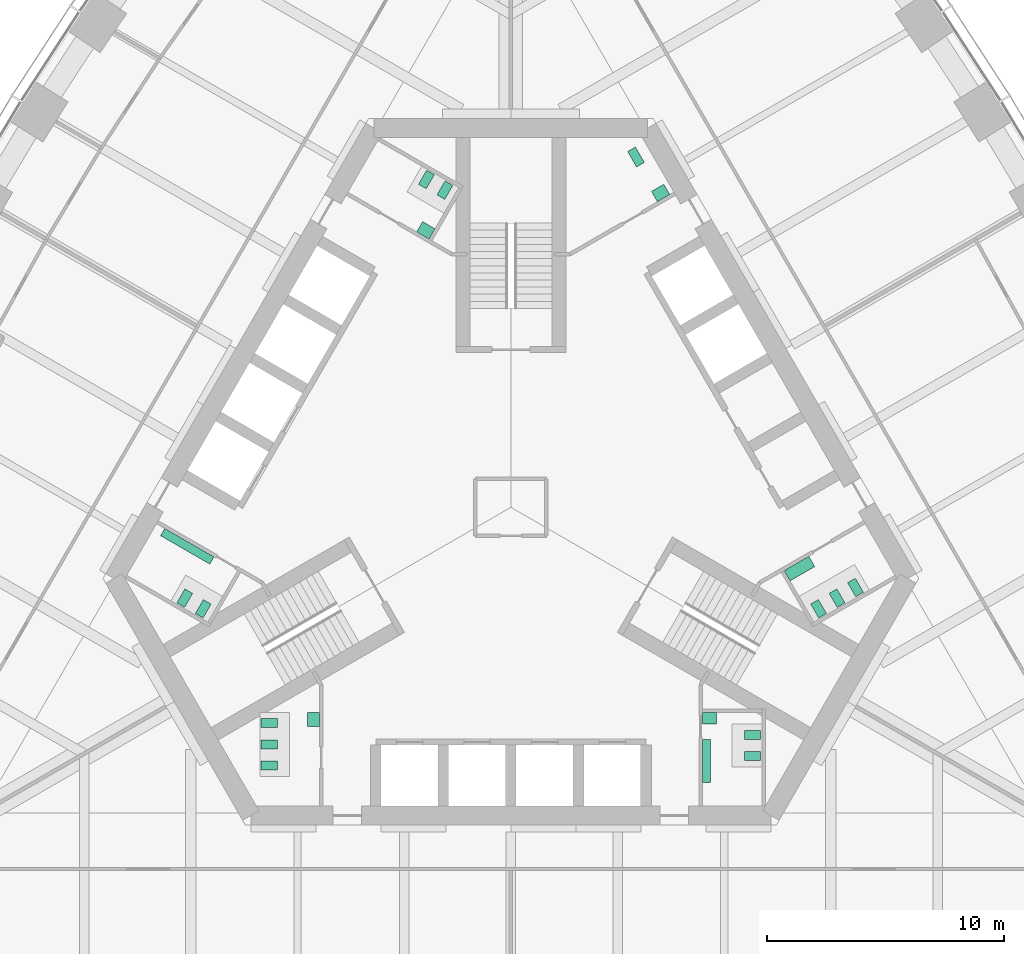
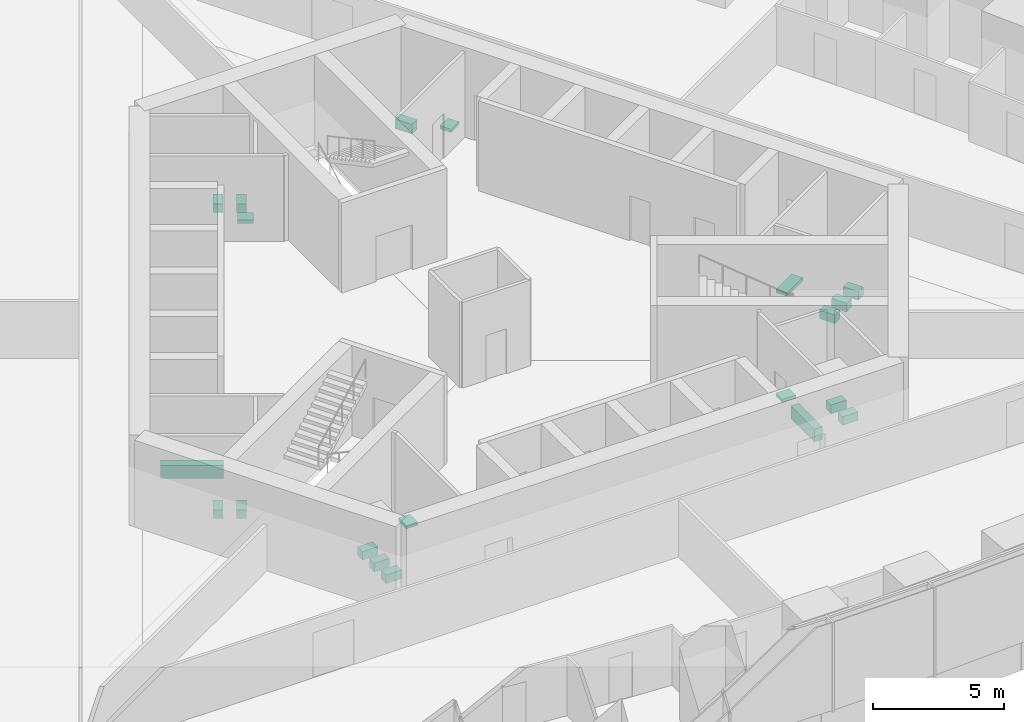
# One storey, part 17 of 18: 20 sanitary terminals.
"""IFC4 building model written with IfcOpenShell, lengths in metres."""

from ifc_helpers import new_model, si_unit, direction, frame, origin, place, context, subcontext, project, spatial, polyline, outline, extrude, material, type_object, element, save


model = new_model("IFC4")

# Units and contexts
model_context = context("Model", 3, precision=1e-05, world=origin(), true_north=direction((0.0, 1.0)))
body_context = subcontext(model_context, "Body", "Model", "MODEL_VIEW")
ifc_project = project(units=[si_unit("LENGTHUNIT", "METRE"), si_unit("AREAUNIT", "SQUARE_METRE"), si_unit("VOLUMEUNIT", "CUBIC_METRE"), si_unit("PLANEANGLEUNIT", "RADIAN"), si_unit("MASSUNIT", "GRAM", prefix="KILO")], contexts=[model_context])

# Site, building, storey
site_placement = place(None, origin())
site = spatial("IfcSite", under=ifc_project, at=site_placement, CompositionType="ELEMENT")
building_placement = place(site_placement, origin())
building = spatial("IfcBuilding", under=site, at=building_placement, Name="Trefoil Bronze Tower", CompositionType="ELEMENT")
storey_placement = place(building_placement, frame((0.0, 0.0, 161.89990234375)))
storey = spatial("IfcBuildingStorey", under=building, at=storey_placement, Name="L37", CompositionType="ELEMENT", Elevation=161.89990234375)

# Sanitary terminals
ifc_material_1 = material(Name="Vitreous china", Category="ceramic")
sanitary_terminal_type_1 = type_object("IfcSanitaryTerminalType", Name="Accessible WC pan", PredefinedType="TOILETPAN", material=ifc_material_1)
sanitary_terminal_1_placement = place(storey_placement, origin())
element("IfcSanitaryTerminal", 1, at=sanitary_terminal_1_placement, inside=storey, type_object=sanitary_terminal_type_1, Name="WC pan 1 Accessible WC L37", PredefinedType="TOILETPAN", context=body_context, shape_type="SweptSolid", body=[
    extrude(outline(polyline([(5.300537109375, 14.359130859375), (4.925537109375, 15.008544921875), (5.254638671875, 15.198486328125), (5.629638671875, 14.549072265625), (5.300537109375, 14.359130859375)])), origin(), (0.0, 0.0, 1.0), 0.4501953125),
])
ifc_material_2 = material(Name="Vitreous china", Category="ceramic")
sanitary_terminal_type_2 = type_object("IfcSanitaryTerminalType", Name="Accessible basin", PredefinedType="WASHHANDBASIN", material=ifc_material_2)
sanitary_terminal_2_placement = place(storey_placement, frame((0.0, 0.0, 0.650146484375)))
element("IfcSanitaryTerminal", 2, at=sanitary_terminal_2_placement, inside=storey, type_object=sanitary_terminal_type_2, Name="Wash basin Accessible WC L37", PredefinedType="WASHHANDBASIN", context=body_context, shape_type="SweptSolid", body=[
    extrude(outline(polyline([(6.181640625, 12.89306640625), (5.931640625, 13.326171875), (6.451171875, 13.626220703125), (6.701171875, 13.193115234375), (6.181640625, 12.89306640625)])), origin(), (0.0, 0.0, 1.0), 0.14990234375),
])
ifc_material_3 = material(Name="Vitreous china", Category="ceramic")
sanitary_terminal_type_3 = type_object("IfcSanitaryTerminalType", Name="Urinal range 3 urinals", PredefinedType="URINAL", material=ifc_material_3)
sanitary_terminal_3_placement = place(storey_placement, frame((0.0, 0.0, 0.400146484375)))
element("IfcSanitaryTerminal", 3, at=sanitary_terminal_3_placement, inside=storey, type_object=sanitary_terminal_type_3, Name="Urinal range WC (men) L37", PredefinedType="URINAL", context=body_context, shape_type="SweptSolid", body=[
    extrude(outline(polyline([(8.074951171875, -9.800048828125), (8.425048828125, -9.800048828125), (8.425048828125, -11.60009765625), (8.074951171875, -11.60009765625), (8.074951171875, -9.800048828125)])), origin(), (0.0, 0.0, 1.0), 0.599853515625),
])
ifc_material_4 = material(Name="Vitreous china", Category="ceramic")
sanitary_terminal_type_4 = type_object("IfcSanitaryTerminalType", Name="Urinal range 4 urinals", PredefinedType="URINAL", material=ifc_material_4)
sanitary_terminal_4_placement = place(storey_placement, frame((0.0, 0.0, 0.400146484375)))
element("IfcSanitaryTerminal", 4, at=sanitary_terminal_4_placement, inside=storey, type_object=sanitary_terminal_type_4, Name="Urinal range WC (men) L37", PredefinedType="URINAL", context=body_context, shape_type="SweptSolid", body=[
    extrude(outline(polyline([(-12.524658203125, -2.09326171875), (-12.699462890625, -2.396240234375), (-14.778076171875, -1.1962890625), (-14.60302734375, -0.89306640625), (-12.524658203125, -2.09326171875)])), origin(), (0.0, 0.0, 1.0), 0.599853515625),
])
ifc_material_5 = material(Name="Solid surface vanity", Category="plastic")
sanitary_terminal_type_5 = type_object("IfcSanitaryTerminalType", Name="Vanity unit 1 basins", PredefinedType="WASHHANDBASIN", material=ifc_material_5)
sanitary_terminal_5_placement = place(storey_placement, frame((0.0, 0.0, 0.75)))
element("IfcSanitaryTerminal", 5, at=sanitary_terminal_5_placement, inside=storey, type_object=sanitary_terminal_type_5, Name="Vanity unit WC (men) L37", PredefinedType="WASHHANDBASIN", context=body_context, shape_type="SweptSolid", body=[
    extrude(outline(polyline([(8.074951171875, -8.64990234375), (8.675048828125, -8.64990234375), (8.675048828125, -9.14990234375), (8.074951171875, -9.14990234375), (8.074951171875, -8.64990234375)])), origin(), (0.0, 0.0, 1.0), 0.150146484375),
])
sanitary_terminal_6_placement = place(storey_placement, frame((0.0, 0.0, 0.75)))
element("IfcSanitaryTerminal", 6, at=sanitary_terminal_6_placement, inside=storey, type_object=sanitary_terminal_type_5, Name="Vanity unit WC (women) L37", PredefinedType="WASHHANDBASIN", context=body_context, shape_type="SweptSolid", body=[
    extrude(outline(polyline([(-3.45361328125, 11.318115234375), (-3.20361328125, 11.751220703125), (-3.72314453125, 12.05126953125), (-3.97314453125, 11.6181640625), (-3.45361328125, 11.318115234375)])), origin(), (0.0, 0.0, 1.0), 0.150146484375),
])
sanitary_terminal_7_placement = place(storey_placement, frame((0.0, 0.0, 0.75)))
element("IfcSanitaryTerminal", 7, at=sanitary_terminal_7_placement, inside=storey, type_object=sanitary_terminal_type_5, Name="Vanity unit WC (women) L37", PredefinedType="WASHHANDBASIN", context=body_context, shape_type="SweptSolid", body=[
    extrude(outline(polyline([(-8.074951171875, -8.64990234375), (-8.574951171875, -8.64990234375), (-8.574951171875, -9.25), (-8.074951171875, -9.25), (-8.074951171875, -8.64990234375)])), origin(), (0.0, 0.0, 1.0), 0.150146484375),
])
ifc_material_6 = material(Name="Solid surface vanity", Category="plastic")
sanitary_terminal_type_6 = type_object("IfcSanitaryTerminalType", Name="Vanity unit 2 basins", PredefinedType="WASHHANDBASIN", material=ifc_material_6)
sanitary_terminal_8_placement = place(storey_placement, frame((0.0, 0.0, 0.75)))
element("IfcSanitaryTerminal", 8, at=sanitary_terminal_8_placement, inside=storey, type_object=sanitary_terminal_type_6, Name="Vanity unit WC (women) L37", PredefinedType="WASHHANDBASIN", context=body_context, shape_type="SweptSolid", body=[
    extrude(outline(polyline([(11.528564453125, -2.668212890625), (11.778564453125, -3.10107421875), (12.81787109375, -2.501220703125), (12.56787109375, -2.068115234375), (11.528564453125, -2.668212890625)])), origin(), (0.0, 0.0, 1.0), 0.150146484375),
])
ifc_material_7 = material(Name="Vitreous china", Category="ceramic")
sanitary_terminal_type_7 = type_object("IfcSanitaryTerminalType", Name="WC pan", PredefinedType="TOILETPAN", material=ifc_material_7)
sanitary_terminal_9_placement = place(storey_placement, origin())
element("IfcSanitaryTerminal", 9, at=sanitary_terminal_9_placement, inside=storey, type_object=sanitary_terminal_type_7, Name="WC pan 1 WC (men) L37", PredefinedType="TOILETPAN", context=body_context, shape_type="SweptSolid", body=[
    extrude(outline(polyline([(9.85498046875, -9.409912109375), (10.534912109375, -9.409912109375), (10.534912109375, -9.7900390625), (9.85498046875, -9.7900390625), (9.85498046875, -9.409912109375)])), origin(), (0.0, 0.0, 1.0), 0.400146484375),
])
sanitary_terminal_10_placement = place(storey_placement, origin())
element("IfcSanitaryTerminal", 10, at=sanitary_terminal_10_placement, inside=storey, type_object=sanitary_terminal_type_7, Name="WC pan 2 WC (men) L37", PredefinedType="TOILETPAN", context=body_context, shape_type="SweptSolid", body=[
    extrude(outline(polyline([(9.85498046875, -10.31005859375), (10.534912109375, -10.31005859375), (10.534912109375, -10.68994140625), (9.85498046875, -10.68994140625), (9.85498046875, -10.31005859375)])), origin(), (0.0, 0.0, 1.0), 0.400146484375),
])
sanitary_terminal_11_placement = place(storey_placement, origin())
element("IfcSanitaryTerminal", 11, at=sanitary_terminal_11_placement, inside=storey, type_object=sanitary_terminal_type_7, Name="WC pan 1 WC (women) L37", PredefinedType="TOILETPAN", context=body_context, shape_type="SweptSolid", body=[
    extrude(outline(polyline([(12.643798828125, -4.07958984375), (12.98388671875, -4.66845703125), (13.31298828125, -4.478515625), (12.972900390625, -3.8896484375), (12.643798828125, -4.07958984375)])), origin(), (0.0, 0.0, 1.0), 0.400146484375),
])
sanitary_terminal_12_placement = place(storey_placement, origin())
element("IfcSanitaryTerminal", 12, at=sanitary_terminal_12_placement, inside=storey, type_object=sanitary_terminal_type_7, Name="WC pan 2 WC (women) L37", PredefinedType="TOILETPAN", context=body_context, shape_type="SweptSolid", body=[
    extrude(outline(polyline([(13.423095703125, -3.629638671875), (13.76318359375, -4.218505859375), (14.09228515625, -4.028564453125), (13.752197265625, -3.439697265625), (13.423095703125, -3.629638671875)])), origin(), (0.0, 0.0, 1.0), 0.400146484375),
])
sanitary_terminal_13_placement = place(storey_placement, origin())
element("IfcSanitaryTerminal", 13, at=sanitary_terminal_13_placement, inside=storey, type_object=sanitary_terminal_type_7, Name="WC pan 3 WC (women) L37", PredefinedType="TOILETPAN", context=body_context, shape_type="SweptSolid", body=[
    extrude(outline(polyline([(14.20263671875, -3.1796875), (14.542724609375, -3.7685546875), (14.871826171875, -3.57861328125), (14.53173828125, -2.98974609375), (14.20263671875, -3.1796875)])), origin(), (0.0, 0.0, 1.0), 0.400146484375),
])
sanitary_terminal_14_placement = place(storey_placement, origin())
element("IfcSanitaryTerminal", 14, at=sanitary_terminal_14_placement, inside=storey, type_object=sanitary_terminal_type_7, Name="WC pan 1 WC (women) L37", PredefinedType="TOILETPAN", context=body_context, shape_type="SweptSolid", body=[
    extrude(outline(polyline([(-2.788818359375, 12.98974609375), (-2.44873046875, 13.57861328125), (-2.77783203125, 13.7685546875), (-3.117919921875, 13.1796875), (-2.788818359375, 12.98974609375)])), origin(), (0.0, 0.0, 1.0), 0.400146484375),
])
sanitary_terminal_15_placement = place(storey_placement, origin())
element("IfcSanitaryTerminal", 15, at=sanitary_terminal_15_placement, inside=storey, type_object=sanitary_terminal_type_7, Name="WC pan 2 WC (women) L37", PredefinedType="TOILETPAN", context=body_context, shape_type="SweptSolid", body=[
    extrude(outline(polyline([(-3.568115234375, 13.439697265625), (-3.228271484375, 14.028564453125), (-3.557373046875, 14.218505859375), (-3.897216796875, 13.629638671875), (-3.568115234375, 13.439697265625)])), origin(), (0.0, 0.0, 1.0), 0.400146484375),
])
sanitary_terminal_16_placement = place(storey_placement, origin())
element("IfcSanitaryTerminal", 16, at=sanitary_terminal_16_placement, inside=storey, type_object=sanitary_terminal_type_7, Name="WC pan 1 WC (men) L37", PredefinedType="TOILETPAN", context=body_context, shape_type="SweptSolid", body=[
    extrude(outline(polyline([(-12.643798828125, -4.07958984375), (-12.98388671875, -4.66845703125), (-13.31298828125, -4.478515625), (-12.972900390625, -3.8896484375), (-12.643798828125, -4.07958984375)])), origin(), (0.0, 0.0, 1.0), 0.400146484375),
])
sanitary_terminal_17_placement = place(storey_placement, origin())
element("IfcSanitaryTerminal", 17, at=sanitary_terminal_17_placement, inside=storey, type_object=sanitary_terminal_type_7, Name="WC pan 2 WC (men) L37", PredefinedType="TOILETPAN", context=body_context, shape_type="SweptSolid", body=[
    extrude(outline(polyline([(-13.423095703125, -3.629638671875), (-13.76318359375, -4.218505859375), (-14.09228515625, -4.028564453125), (-13.752197265625, -3.439697265625), (-13.423095703125, -3.629638671875)])), origin(), (0.0, 0.0, 1.0), 0.400146484375),
])
sanitary_terminal_18_placement = place(storey_placement, origin())
element("IfcSanitaryTerminal", 18, at=sanitary_terminal_18_placement, inside=storey, type_object=sanitary_terminal_type_7, Name="WC pan 1 WC (women) L37", PredefinedType="TOILETPAN", context=body_context, shape_type="SweptSolid", body=[
    extrude(outline(polyline([(-9.85498046875, -8.909912109375), (-10.534912109375, -8.909912109375), (-10.534912109375, -9.2900390625), (-9.85498046875, -9.2900390625), (-9.85498046875, -8.909912109375)])), origin(), (0.0, 0.0, 1.0), 0.400146484375),
])
sanitary_terminal_19_placement = place(storey_placement, origin())
element("IfcSanitaryTerminal", 19, at=sanitary_terminal_19_placement, inside=storey, type_object=sanitary_terminal_type_7, Name="WC pan 2 WC (women) L37", PredefinedType="TOILETPAN", context=body_context, shape_type="SweptSolid", body=[
    extrude(outline(polyline([(-9.85498046875, -9.81005859375), (-10.534912109375, -9.81005859375), (-10.534912109375, -10.18994140625), (-9.85498046875, -10.18994140625), (-9.85498046875, -9.81005859375)])), origin(), (0.0, 0.0, 1.0), 0.400146484375),
])
sanitary_terminal_20_placement = place(storey_placement, origin())
element("IfcSanitaryTerminal", 20, at=sanitary_terminal_20_placement, inside=storey, type_object=sanitary_terminal_type_7, Name="WC pan 3 WC (women) L37", PredefinedType="TOILETPAN", context=body_context, shape_type="SweptSolid", body=[
    extrude(outline(polyline([(-9.85498046875, -10.7099609375), (-10.534912109375, -10.7099609375), (-10.534912109375, -11.090087890625), (-9.85498046875, -11.090087890625), (-9.85498046875, -10.7099609375)])), origin(), (0.0, 0.0, 1.0), 0.400146484375),
])

save(model, "model.ifc")
